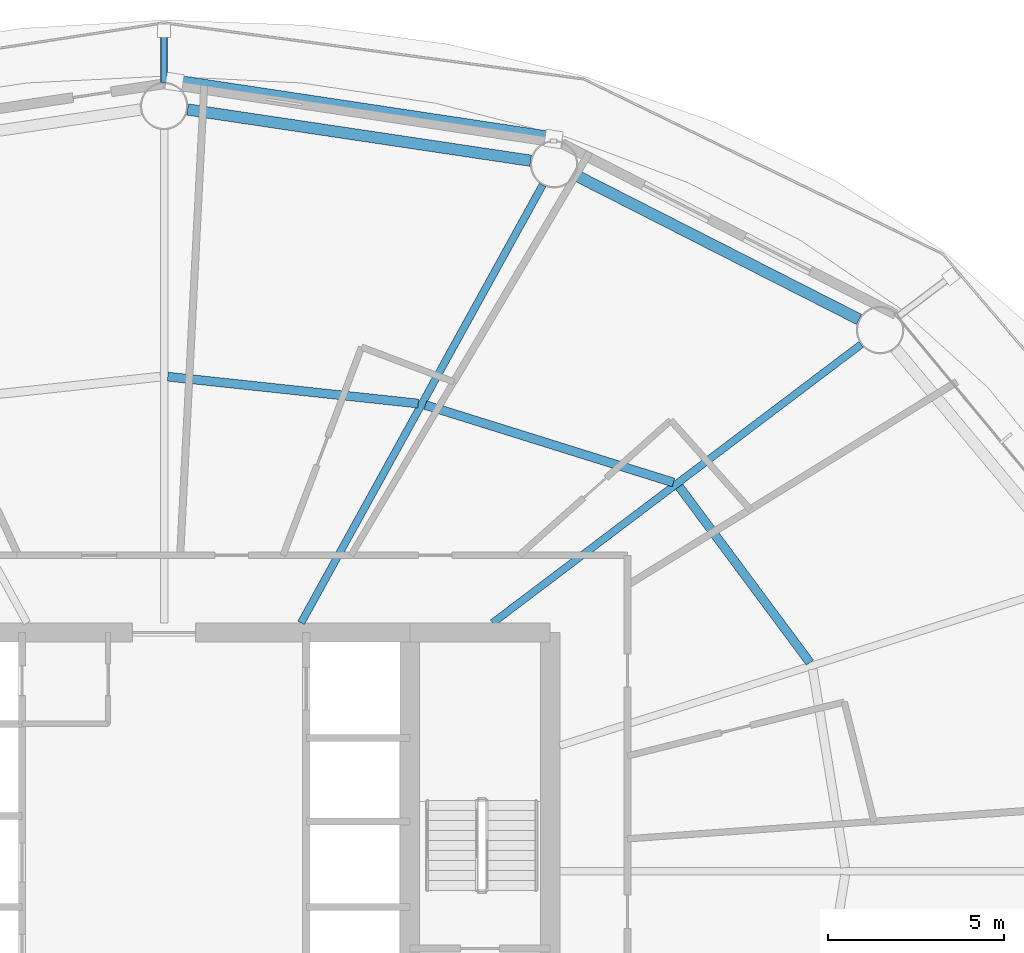
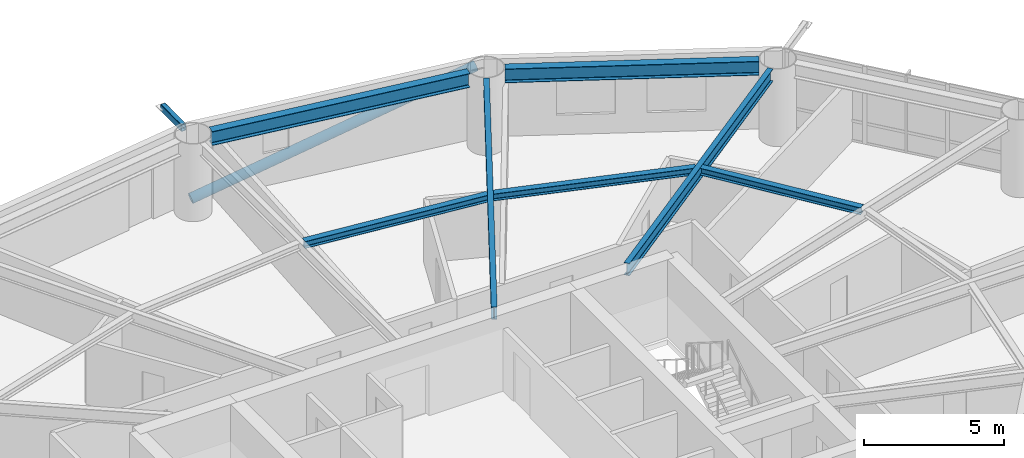
# One storey, part 11 of 24: 7 beams, 2 members.
"""IFC4 building model written with IfcOpenShell, lengths in metres."""

import ifcopenshell
import ifcopenshell.guid

model = None  # the IFC model being written
_history = None  # IfcOwnerHistory: only IFC2X3 demands one
_inside = {}  # id of a spatial element -> (the spatial element, [elements in it])
_under = {}  # id of a project, library or spatial element -> (it, [spatial elements below it])
_declared = {}  # id of a project -> (the project, [libraries it declares])
_typed = {}  # id of a type object -> (the type object, [elements of that type])
_made_of = {}  # id of a material, layer set ... -> (it, [elements and type objects made of it])


def new_model(schema):
    """Start an empty IFC model of exactly this schema.

    Asked for "IFC4X3", IfcOpenShell would pick the latest addendum, in which some entities
    have other attributes; the version numbers below select the first issue.
    IFC2X3 requires an IfcOwnerHistory on every rooted entity: one is made here for all.
    """
    global model, _history
    if schema == "IFC4X3":
        model = ifcopenshell.file(schema_version=(4, 3, 0, 0))
    else:
        model = ifcopenshell.file(schema=schema)
    _inside.clear()
    _under.clear()
    _declared.clear()
    _typed.clear()
    _made_of.clear()
    _history = None
    if model.schema == "IFC2X3":
        org = make("IfcOrganization", Name="unknown")
        user = make(
            "IfcPersonAndOrganization",
            ThePerson=make("IfcPerson", FamilyName="unknown"),
            TheOrganization=org,
        )
        app = make(
            "IfcApplication",
            ApplicationDeveloper=org,
            Version="unknown",
            ApplicationFullName="unknown",
            ApplicationIdentifier="unknown",
        )
        _history = make(
            "IfcOwnerHistory",
            OwningUser=user,
            OwningApplication=app,
            ChangeAction="ADDED",
            CreationDate=0,
        )
    return model


def make(cls, **values):
    """One entity of the class cls with the attributes given. An attribute that is None is left unset."""
    return model.create_entity(
        cls, **{name: value for name, value in values.items() if value is not None}
    )


def rooted(cls, **values):
    """An entity with a GlobalId (a new one), such as an element, a storey or a relation."""
    return make(cls, GlobalId=ifcopenshell.guid.new(), OwnerHistory=_history, **values)


def si_unit(unit_type, name, prefix=None):
    """IfcSIUnit, for example si_unit("LENGTHUNIT", "METRE", prefix="MILLI")."""
    return make("IfcSIUnit", UnitType=unit_type, Prefix=prefix, Name=name)


def assignment(units):
    """IfcUnitAssignment: the units of a project."""
    return None if units is None else make("IfcUnitAssignment", Units=units)


def point(xyz):
    """IfcCartesianPoint."""
    return None if xyz is None else make("IfcCartesianPoint", Coordinates=xyz)


def direction(xyz):
    """IfcDirection."""
    return None if xyz is None else make("IfcDirection", DirectionRatios=xyz)


def frame(location, z_axis=None, x_axis=None):
    """IfcAxis2Placement3D, a coordinate frame: its origin and axes. An axis left out is left unset."""
    return make(
        "IfcAxis2Placement3D",
        Location=point(location),
        Axis=direction(z_axis),
        RefDirection=direction(x_axis),
    )


def frame_2d(location, x_axis=None):
    """IfcAxis2Placement2D, a coordinate frame in the plane: its origin and x axis."""
    return make(
        "IfcAxis2Placement2D", Location=point(location), RefDirection=direction(x_axis)
    )


def origin():
    """The frame at (0, 0, 0) with its axes left unset."""
    return frame((0.0, 0.0, 0.0))


def origin_2d():
    """The frame at (0, 0) in the plane with its x axis left unset."""
    return frame_2d((0.0, 0.0))


def place(relative_to, where):
    """IfcLocalPlacement: puts the frame where relative to a parent placement (None: the world)."""
    return make(
        "IfcLocalPlacement", PlacementRelTo=relative_to, RelativePlacement=where
    )


def context(
    kind, dimensions, precision=None, world=None, true_north=None, identifier=None
):
    """IfcGeometricRepresentationContext, for example the 3D "Model" context."""
    return make(
        "IfcGeometricRepresentationContext",
        ContextIdentifier=identifier,
        ContextType=kind,
        CoordinateSpaceDimension=dimensions,
        Precision=precision,
        WorldCoordinateSystem=world,
        TrueNorth=true_north,
    )


def subcontext(parent, identifier, kind, view, scale=None):
    """IfcGeometricRepresentationSubContext, for example "Body" below "Model"."""
    return make(
        "IfcGeometricRepresentationSubContext",
        ContextIdentifier=identifier,
        ContextType=kind,
        ParentContext=parent,
        TargetScale=scale,
        TargetView=view,
    )


def project(units=None, contexts=None):
    """IfcProject with its units and contexts."""
    return rooted(
        "IfcProject",
        Name="project",
        RepresentationContexts=contexts,
        UnitsInContext=assignment(units),
    )


def spatial(cls, under=None, at=None, **own):
    """A site, building, storey or space (cls), placed at a placement, below another one or the project."""
    s = rooted(cls, ObjectPlacement=at, **own)
    if under is not None:
        _under.setdefault(under.id(), (under, []))[1].append(s)
    return s


def profile(cls, at=None, kind="AREA", **sizes):
    """A parametric profile (cls). Its sizes go by their IFC names, for example OverallWidth=200.0."""
    return make(cls, ProfileType=kind, Position=at, **sizes)


def hollow_rectangle(**sizes):
    """IfcRectangleHollowProfileDef."""
    return profile("IfcRectangleHollowProfileDef", **sizes)


def hollow_circle(**sizes):
    """IfcCircleHollowProfileDef."""
    return profile("IfcCircleHollowProfileDef", **sizes)


def i_section(**sizes):
    """IfcIShapeProfileDef."""
    return profile("IfcIShapeProfileDef", **sizes)


def extrude(swept, where, along, depth):
    """IfcExtrudedAreaSolid: the profile swept, set in the frame where, extruded along a direction by depth."""
    return make(
        "IfcExtrudedAreaSolid",
        SweptArea=swept,
        Position=where,
        ExtrudedDirection=direction(along),
        Depth=depth,
    )


def shape(context_of_items, identifier, shape_type, items):
    """IfcShapeRepresentation: the items that make up one representation, for example the "Body"."""
    return make(
        "IfcShapeRepresentation",
        ContextOfItems=context_of_items,
        RepresentationIdentifier=identifier,
        RepresentationType=shape_type,
        Items=items,
    )


def material(Name=None, Category=None):
    """IfcMaterial."""
    return make("IfcMaterial", Name=Name, Category=Category)


def material_profile(
    of_material, cross_section, Name=None, Category=None, Priority=None
):
    """IfcMaterialProfile: a cross section and its material."""
    return make(
        "IfcMaterialProfile",
        Name=Name,
        Material=of_material,
        Profile=cross_section,
        Priority=Priority,
        Category=Category,
    )


def profile_set(profiles, Name=None, composite=None):
    """IfcMaterialProfileSet."""
    return make(
        "IfcMaterialProfileSet",
        Name=Name,
        MaterialProfiles=profiles,
        CompositeProfile=composite,
    )


def made_of(thing, what):
    """Note that an element or type object is made of a material, layer set ...; save() writes the relation."""
    if what is not None:
        _made_of.setdefault(what.id(), (what, []))[1].append(thing)
    return thing


def type_object(cls, material=None, **own):
    """A type object (cls), such as IfcWallType, which elements share."""
    return made_of(rooted(cls, **own), material)


def element(
    cls,
    number,
    at=None,
    inside=None,
    cuts=None,
    type_object=None,
    material=None,
    context=None,
    identifier="Body",
    shape_type=None,
    held_by="IfcProductDefinitionShape",
    body=None,
    shapes=None,
    **own,
):
    """One element of the class cls, such as IfcWall. Its Tag is "e" and its number.

    at: its placement. inside: the storey or other place that contains it. cuts: it is an
    opening in that element (IfcRelVoidsElement). A single representation is given by context,
    identifier, shape_type and body (its items); several are given by shapes. held_by: the class
    of the entity that holds the representations. save() writes the other relations.
    """
    e = rooted(cls, Tag="e%d" % number, ObjectPlacement=at, **own)
    if body is not None:
        shapes = [shape(context, identifier, shape_type, body)]
    if shapes is not None:
        e.Representation = make(held_by, Representations=shapes)
    if inside is not None:
        _inside.setdefault(inside.id(), (inside, []))[1].append(e)
    if cuts is not None:
        rooted(
            "IfcRelVoidsElement", RelatingBuildingElement=cuts, RelatedOpeningElement=e
        )
    if type_object is not None:
        _typed.setdefault(type_object.id(), (type_object, []))[1].append(e)
    return made_of(e, material)


def aggregate(whole, parts):
    """IfcRelAggregates: a whole, such as a stair, and the parts it consists of."""
    return rooted("IfcRelAggregates", RelatingObject=whole, RelatedObjects=parts)


def save(model, path):
    """Write the relations noted so far, then the file.

    IfcRelAggregates (storeys below a building ...), IfcRelContainedInSpatialStructure (elements
    in a storey), IfcRelDefinesByType, IfcRelAssociatesMaterial and IfcRelDeclares: one each for
    every whole, place, type object, material and project.
    """
    for whole, parts in _under.values():
        aggregate(whole, parts)
    for where, things in _inside.values():
        rooted(
            "IfcRelContainedInSpatialStructure",
            RelatedElements=things,
            RelatingStructure=where,
        )
    for kind, things in _typed.values():
        rooted("IfcRelDefinesByType", RelatedObjects=things, RelatingType=kind)
    for what, things in _made_of.values():
        rooted("IfcRelAssociatesMaterial", RelatedObjects=things, RelatingMaterial=what)
    for by, libraries in _declared.values():
        rooted("IfcRelDeclares", RelatingContext=by, RelatedDefinitions=libraries)
    model.write(path)


model = new_model("IFC4")

# Units and contexts
model_context = context("Model", 3, precision=1e-05, world=origin(), true_north=direction((0.0, 1.0)))
body_context = subcontext(model_context, "Body", "Model", "MODEL_VIEW")
ifc_project = project(units=[si_unit("LENGTHUNIT", "METRE"), si_unit("AREAUNIT", "SQUARE_METRE"), si_unit("VOLUMEUNIT", "CUBIC_METRE"), si_unit("PLANEANGLEUNIT", "RADIAN"), si_unit("MASSUNIT", "GRAM", prefix="KILO")], contexts=[model_context])

# Site, building, storey
site_placement = place(None, origin())
site = spatial("IfcSite", under=ifc_project, at=site_placement, CompositionType="ELEMENT")
building_placement = place(site_placement, origin())
building = spatial("IfcBuilding", under=site, at=building_placement, Name="Sarneth Arch Tower", CompositionType="ELEMENT")
storey_placement = place(building_placement, frame((0.0, 0.0, 87.60009765625)))
storey = spatial("IfcBuildingStorey", under=building, at=storey_placement, Name="L21", CompositionType="ELEMENT", Elevation=87.60009765625)

# Beams
ifc_material_1 = material(Name="Steel S355", Category="steel")
ifc_material_profile_1 = material_profile(ifc_material_1, i_section(OverallWidth=0.25390625, OverallDepth=0.305908203125, WebThickness=0.0087890625, FlangeThickness=0.0146484375, FilletRadius=0.014892578125, at=origin_2d()), Name="W310x79")
ifc_profile_set_1 = profile_set([ifc_material_profile_1], Name="Steel S355")
beam_type_1 = type_object("IfcBeamType", Name="BM-JOIST-310A", PredefinedType="JOIST", material=ifc_profile_set_1)
beam_1_placement = place(storey_placement, frame((66.3984375, 47.942626953125, 3.226806640625), z_axis=(-0.596354224217, 0.80272139579, 0.0), x_axis=(-0.80272139579, -0.596354224217, 0.0)))
element("IfcBeam", 1, at=beam_1_placement, inside=storey, type_object=beam_type_1, Name="L21 Secondary floor joist 02", PredefinedType="JOIST", context=body_context, shape_type="SweptSolid", body=[
    extrude(i_section(OverallWidth=0.25390625, OverallDepth=0.305908203125, WebThickness=0.0087890625, FlangeThickness=0.0146484375, FilletRadius=0.014892578125, at=origin_2d()), origin(), (0.0, 0.0, 1.0), 6.246337890625),
])
beam_2_placement = place(storey_placement, frame((62.509765625, 53.072998046875, 3.226806640625), z_axis=(-0.9544870201, 0.298252457594, 0.0), x_axis=(-0.298252457594, -0.9544870201, 0.0)))
element("IfcBeam", 2, at=beam_2_placement, inside=storey, type_object=beam_type_1, Name="L21 Secondary floor joist 03", PredefinedType="JOIST", context=body_context, shape_type="SweptSolid", body=[
    extrude(i_section(OverallWidth=0.25390625, OverallDepth=0.305908203125, WebThickness=0.0087890625, FlangeThickness=0.0146484375, FilletRadius=0.014892578125, at=origin_2d()), origin(), (0.0, 0.0, 1.0), 7.40234375),
])
beam_3_placement = place(storey_placement, frame((55.238525390625, 55.323486328125, 3.226806640625), z_axis=(-0.99429330851, 0.106680910441, 0.0), x_axis=(-0.106680910441, -0.99429330851, 0.0)))
element("IfcBeam", 3, at=beam_3_placement, inside=storey, type_object=beam_type_1, Name="L21 Secondary floor joist 04", PredefinedType="JOIST", context=body_context, shape_type="SweptSolid", body=[
    extrude(i_section(OverallWidth=0.25390625, OverallDepth=0.305908203125, WebThickness=0.0087890625, FlangeThickness=0.0146484375, FilletRadius=0.014892578125, at=origin_2d()), origin(), (0.0, 0.0, 1.0), 7.174560546875),
])
ifc_material_2 = material(Name="Steel S355", Category="steel")
ifc_material_profile_2 = material_profile(ifc_material_2, i_section(OverallWidth=0.2109375, OverallDepth=0.5390625, WebThickness=0.01171875, FlangeThickness=0.018798828125, FilletRadius=0.01806640625, at=origin_2d()), Name="W530x109")
ifc_profile_set_2 = profile_set([ifc_material_profile_2], Name="Steel S355")
beam_type_2 = type_object("IfcBeamType", Name="BM-RAD-530B", PredefinedType="BEAM", material=ifc_profile_set_2)
beam_4_placement = place(storey_placement, frame((57.36181640625, 49.074951171875, 3.1103515625), z_axis=(0.797801476102, 0.602920230818, 0.0), x_axis=(-0.602920230818, 0.797801476102, 0.0)))
element("IfcBeam", 4, at=beam_4_placement, inside=storey, type_object=beam_type_2, Name="L21 Radial floor girder 03", PredefinedType="BEAM", context=body_context, shape_type="SweptSolid", body=[
    extrude(i_section(OverallWidth=0.2109375, OverallDepth=0.5390625, WebThickness=0.01171875, FlangeThickness=0.018798828125, FilletRadius=0.01806640625, at=origin_2d()), origin(), (0.0, 0.0, 1.0), 13.15771484375),
])
beam_5_placement = place(storey_placement, frame((51.90283203125, 49.074951171875, 3.1103515625), z_axis=(0.48301301286, 0.875613173387, 0.0), x_axis=(-0.875613173387, 0.48301301286, 0.0)))
element("IfcBeam", 5, at=beam_5_placement, inside=storey, type_object=beam_type_2, Name="L21 Radial floor girder 04", PredefinedType="BEAM", context=body_context, shape_type="SweptSolid", body=[
    extrude(i_section(OverallWidth=0.2109375, OverallDepth=0.5390625, WebThickness=0.01171875, FlangeThickness=0.018798828125, FilletRadius=0.01806640625, at=origin_2d()), origin(), (0.0, 0.0, 1.0), 14.246826171875),
])
ifc_material_3 = material(Name="Steel S355", Category="steel")
ifc_material_profile_3 = material_profile(ifc_material_3, i_section(OverallWidth=0.323974609375, OverallDepth=0.611083984375, WebThickness=0.0126953125, FlangeThickness=0.01904296875, FilletRadius=0.01904296875, at=origin_2d()), Name="W610x155")
ifc_profile_set_3 = profile_set([ifc_material_profile_3], Name="Steel S355")
beam_type_3 = type_object("IfcBeamType", Name="BM-SPAN-610B", PredefinedType="SPANDREL", material=ifc_profile_set_3)
beam_6_placement = place(storey_placement, frame((67.796142578125, 57.720947265625, 3.074462890625), z_axis=(-0.891255891792, 0.453500755619, 0.0), x_axis=(-0.453500755619, -0.891255891792, 0.0)))
element("IfcBeam", 6, at=beam_6_placement, inside=storey, type_object=beam_type_3, Name="L21 Perimeter spandrel beam 03", PredefinedType="SPANDREL", context=body_context, shape_type="SweptSolid", body=[
    extrude(i_section(OverallWidth=0.323974609375, OverallDepth=0.611083984375, WebThickness=0.0126953125, FlangeThickness=0.01904296875, FilletRadius=0.01904296875, at=origin_2d()), origin(), (0.0, 0.0, 1.0), 9.070556640625),
])
beam_7_placement = place(storey_placement, frame((58.442626953125, 62.240234375, 3.074462890625), z_axis=(-0.989029828744, 0.147715936359, 0.0), x_axis=(-0.147715936359, -0.989029828744, 0.0)))
element("IfcBeam", 7, at=beam_7_placement, inside=storey, type_object=beam_type_3, Name="L21 Perimeter spandrel beam 04", PredefinedType="SPANDREL", context=body_context, shape_type="SweptSolid", body=[
    extrude(i_section(OverallWidth=0.323974609375, OverallDepth=0.611083984375, WebThickness=0.0126953125, FlangeThickness=0.01904296875, FilletRadius=0.01904296875, at=origin_2d()), origin(), (0.0, 0.0, 1.0), 9.883544921875),
])

# Members
ifc_material_4 = material(Name="Steel S355", Category="steel")
ifc_material_profile_4 = material_profile(ifc_material_4, hollow_rectangle(XDim=0.199951171875, YDim=0.300048828125, WallThickness=0.012451171875, InnerFilletRadius=0.018798828125, OuterFilletRadius=0.03125, at=origin_2d()), Name="RHS300x200x12.5")
ifc_profile_set_4 = profile_set([ifc_material_profile_4], Name="Steel S355")
member_type_1 = type_object("IfcMemberType", Name="MEM-CANT-STRUT", PredefinedType="STRUT", material=ifc_profile_set_4)
member_1_placement = place(storey_placement, frame((48.0, 64.47509765625, 3.219970703125), z_axis=(0.0, 1.0, 0.0), x_axis=(-1.0, 0.0, 0.0)))
element("IfcMember", 8, at=member_1_placement, inside=storey, type_object=member_type_1, Name="L21 Balcony cantilever bracket 05", PredefinedType="STRUT", context=body_context, shape_type="SweptSolid", body=[
    extrude(hollow_rectangle(XDim=0.199951171875, YDim=0.300048828125, WallThickness=0.012451171875, InnerFilletRadius=0.018798828125, OuterFilletRadius=0.03125, at=origin_2d()), origin(), (0.0, 0.0, 1.0), 1.471923828125),
])
ifc_material_5 = material(Name="Steel S355", Category="steel")
ifc_material_profile_5 = material_profile(ifc_material_5, hollow_circle(Radius=0.202880859375, WallThickness=0.01611328125, at=origin_2d()), Name="CHS406x16")
ifc_profile_set_5 = profile_set([ifc_material_profile_5], Name="Steel S355")
member_type_2 = type_object("IfcMemberType", Name="MEM-DIAG-BR2", PredefinedType="BRACE", material=ifc_profile_set_5)
member_2_placement = place(storey_placement, frame((48.296630859375, 64.4853515625, 0.02001953125), z_axis=(0.95366207304, -0.143606787372, 0.264396938456), x_axis=(0.148905755657, 0.988851392239, 0.0)))
element("IfcMember", 9, at=member_2_placement, inside=storey, type_object=member_type_2, Name="L21 Perimeter frame diagonal 04", PredefinedType="BRACE", context=body_context, shape_type="SweptSolid", body=[
    extrude(hollow_circle(Radius=0.202880859375, WallThickness=0.01611328125, at=origin_2d()), origin(), (0.0, 0.0, 1.0), 11.32080078125),
])

save(model, "model.ifc")
